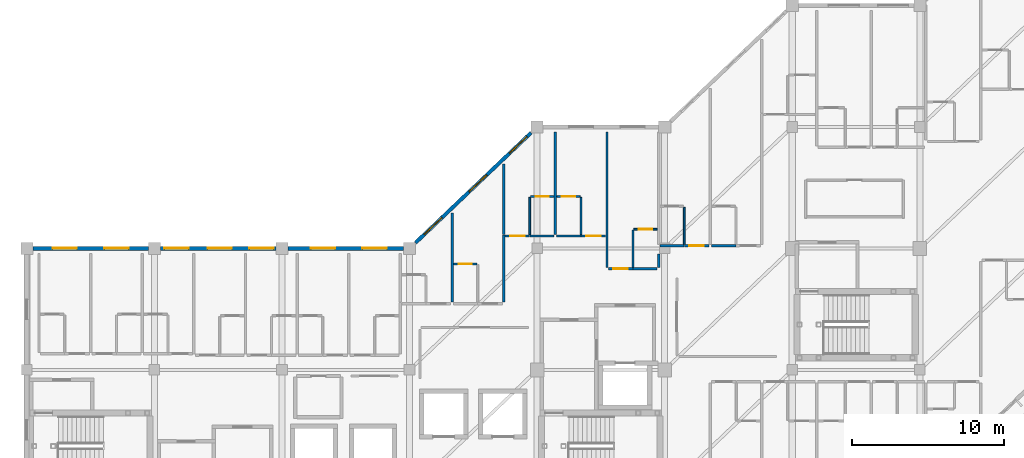
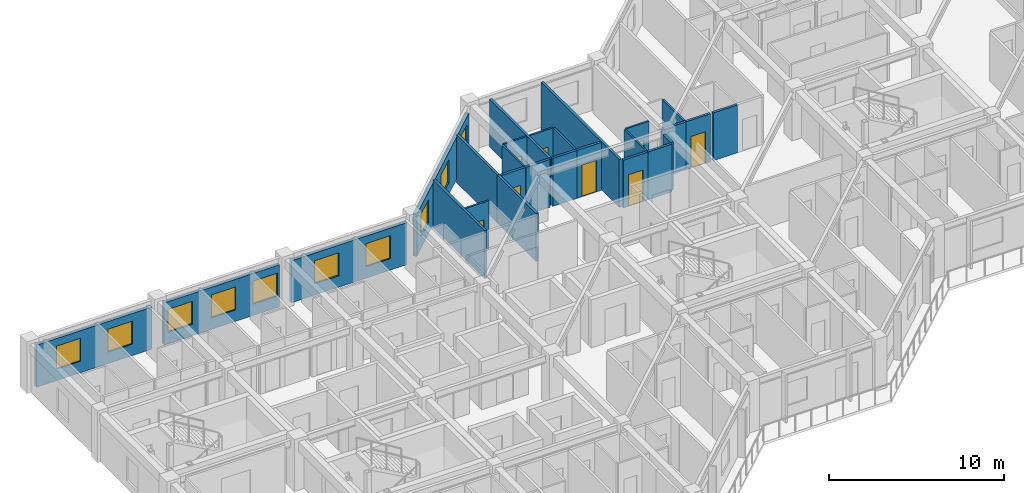
# One storey, part 12 of 17: 27 walls, 10 windows, 8 doors, 18 openings.
"""IFC4 building model written with IfcOpenShell, lengths in metres."""

import ifcopenshell
import ifcopenshell.guid

model = None  # the IFC model being written
_history = None  # IfcOwnerHistory: only IFC2X3 demands one
_inside = {}  # id of a spatial element -> (the spatial element, [elements in it])
_under = {}  # id of a project, library or spatial element -> (it, [spatial elements below it])
_declared = {}  # id of a project -> (the project, [libraries it declares])
_typed = {}  # id of a type object -> (the type object, [elements of that type])
_made_of = {}  # id of a material, layer set ... -> (it, [elements and type objects made of it])


def new_model(schema):
    """Start an empty IFC model of exactly this schema.

    Asked for "IFC4X3", IfcOpenShell would pick the latest addendum, in which some entities
    have other attributes; the version numbers below select the first issue.
    IFC2X3 requires an IfcOwnerHistory on every rooted entity: one is made here for all.
    """
    global model, _history
    if schema == "IFC4X3":
        model = ifcopenshell.file(schema_version=(4, 3, 0, 0))
    else:
        model = ifcopenshell.file(schema=schema)
    _inside.clear()
    _under.clear()
    _declared.clear()
    _typed.clear()
    _made_of.clear()
    _history = None
    if model.schema == "IFC2X3":
        org = make("IfcOrganization", Name="unknown")
        user = make(
            "IfcPersonAndOrganization",
            ThePerson=make("IfcPerson", FamilyName="unknown"),
            TheOrganization=org,
        )
        app = make(
            "IfcApplication",
            ApplicationDeveloper=org,
            Version="unknown",
            ApplicationFullName="unknown",
            ApplicationIdentifier="unknown",
        )
        _history = make(
            "IfcOwnerHistory",
            OwningUser=user,
            OwningApplication=app,
            ChangeAction="ADDED",
            CreationDate=0,
        )
    return model


def make(cls, **values):
    """One entity of the class cls with the attributes given. An attribute that is None is left unset."""
    return model.create_entity(
        cls, **{name: value for name, value in values.items() if value is not None}
    )


def rooted(cls, **values):
    """An entity with a GlobalId (a new one), such as an element, a storey or a relation."""
    return make(cls, GlobalId=ifcopenshell.guid.new(), OwnerHistory=_history, **values)


def si_unit(unit_type, name, prefix=None):
    """IfcSIUnit, for example si_unit("LENGTHUNIT", "METRE", prefix="MILLI")."""
    return make("IfcSIUnit", UnitType=unit_type, Prefix=prefix, Name=name)


def assignment(units):
    """IfcUnitAssignment: the units of a project."""
    return None if units is None else make("IfcUnitAssignment", Units=units)


def point(xyz):
    """IfcCartesianPoint."""
    return None if xyz is None else make("IfcCartesianPoint", Coordinates=xyz)


def direction(xyz):
    """IfcDirection."""
    return None if xyz is None else make("IfcDirection", DirectionRatios=xyz)


def frame(location, z_axis=None, x_axis=None):
    """IfcAxis2Placement3D, a coordinate frame: its origin and axes. An axis left out is left unset."""
    return make(
        "IfcAxis2Placement3D",
        Location=point(location),
        Axis=direction(z_axis),
        RefDirection=direction(x_axis),
    )


def frame_2d(location, x_axis=None):
    """IfcAxis2Placement2D, a coordinate frame in the plane: its origin and x axis."""
    return make(
        "IfcAxis2Placement2D", Location=point(location), RefDirection=direction(x_axis)
    )


def origin():
    """The frame at (0, 0, 0) with its axes left unset."""
    return frame((0.0, 0.0, 0.0))


def place(relative_to, where):
    """IfcLocalPlacement: puts the frame where relative to a parent placement (None: the world)."""
    return make(
        "IfcLocalPlacement", PlacementRelTo=relative_to, RelativePlacement=where
    )


def context(
    kind, dimensions, precision=None, world=None, true_north=None, identifier=None
):
    """IfcGeometricRepresentationContext, for example the 3D "Model" context."""
    return make(
        "IfcGeometricRepresentationContext",
        ContextIdentifier=identifier,
        ContextType=kind,
        CoordinateSpaceDimension=dimensions,
        Precision=precision,
        WorldCoordinateSystem=world,
        TrueNorth=true_north,
    )


def subcontext(parent, identifier, kind, view, scale=None):
    """IfcGeometricRepresentationSubContext, for example "Body" below "Model"."""
    return make(
        "IfcGeometricRepresentationSubContext",
        ContextIdentifier=identifier,
        ContextType=kind,
        ParentContext=parent,
        TargetScale=scale,
        TargetView=view,
    )


def project(units=None, contexts=None):
    """IfcProject with its units and contexts."""
    return rooted(
        "IfcProject",
        Name="project",
        RepresentationContexts=contexts,
        UnitsInContext=assignment(units),
    )


def spatial(cls, under=None, at=None, **own):
    """A site, building, storey or space (cls), placed at a placement, below another one or the project."""
    s = rooted(cls, ObjectPlacement=at, **own)
    if under is not None:
        _under.setdefault(under.id(), (under, []))[1].append(s)
    return s


def profile(cls, at=None, kind="AREA", **sizes):
    """A parametric profile (cls). Its sizes go by their IFC names, for example OverallWidth=200.0."""
    return make(cls, ProfileType=kind, Position=at, **sizes)


def rectangle(**sizes):
    """IfcRectangleProfileDef."""
    return profile("IfcRectangleProfileDef", **sizes)


def extrude(swept, where, along, depth):
    """IfcExtrudedAreaSolid: the profile swept, set in the frame where, extruded along a direction by depth."""
    return make(
        "IfcExtrudedAreaSolid",
        SweptArea=swept,
        Position=where,
        ExtrudedDirection=direction(along),
        Depth=depth,
    )


def shape(context_of_items, identifier, shape_type, items):
    """IfcShapeRepresentation: the items that make up one representation, for example the "Body"."""
    return make(
        "IfcShapeRepresentation",
        ContextOfItems=context_of_items,
        RepresentationIdentifier=identifier,
        RepresentationType=shape_type,
        Items=items,
    )


def material(Name=None, Category=None):
    """IfcMaterial."""
    return make("IfcMaterial", Name=Name, Category=Category)


def layer(
    of_material, thickness, ventilated=None, Name=None, Category=None, Priority=None
):
    """IfcMaterialLayer: one layer of a wall or slab, of a material (None: an air gap)."""
    return make(
        "IfcMaterialLayer",
        Material=of_material,
        LayerThickness=thickness,
        IsVentilated=ventilated,
        Name=Name,
        Category=Category,
        Priority=Priority,
    )


def layer_set(layers, Name=None):
    """IfcMaterialLayerSet."""
    return make("IfcMaterialLayerSet", MaterialLayers=layers, LayerSetName=Name)


def made_of(thing, what):
    """Note that an element or type object is made of a material, layer set ...; save() writes the relation."""
    if what is not None:
        _made_of.setdefault(what.id(), (what, []))[1].append(thing)
    return thing


def type_object(cls, material=None, **own):
    """A type object (cls), such as IfcWallType, which elements share."""
    return made_of(rooted(cls, **own), material)


def element(
    cls,
    number,
    at=None,
    inside=None,
    cuts=None,
    type_object=None,
    material=None,
    context=None,
    identifier="Body",
    shape_type=None,
    held_by="IfcProductDefinitionShape",
    body=None,
    shapes=None,
    **own,
):
    """One element of the class cls, such as IfcWall. Its Tag is "e" and its number.

    at: its placement. inside: the storey or other place that contains it. cuts: it is an
    opening in that element (IfcRelVoidsElement). A single representation is given by context,
    identifier, shape_type and body (its items); several are given by shapes. held_by: the class
    of the entity that holds the representations. save() writes the other relations.
    """
    e = rooted(cls, Tag="e%d" % number, ObjectPlacement=at, **own)
    if body is not None:
        shapes = [shape(context, identifier, shape_type, body)]
    if shapes is not None:
        e.Representation = make(held_by, Representations=shapes)
    if inside is not None:
        _inside.setdefault(inside.id(), (inside, []))[1].append(e)
    if cuts is not None:
        rooted(
            "IfcRelVoidsElement", RelatingBuildingElement=cuts, RelatedOpeningElement=e
        )
    if type_object is not None:
        _typed.setdefault(type_object.id(), (type_object, []))[1].append(e)
    return made_of(e, material)


def fill(opening, filler):
    """IfcRelFillsElement: the door or window that sits in an opening."""
    return rooted(
        "IfcRelFillsElement",
        RelatingOpeningElement=opening,
        RelatedBuildingElement=filler,
    )


def aggregate(whole, parts):
    """IfcRelAggregates: a whole, such as a stair, and the parts it consists of."""
    return rooted("IfcRelAggregates", RelatingObject=whole, RelatedObjects=parts)


def save(model, path):
    """Write the relations noted so far, then the file.

    IfcRelAggregates (storeys below a building ...), IfcRelContainedInSpatialStructure (elements
    in a storey), IfcRelDefinesByType, IfcRelAssociatesMaterial and IfcRelDeclares: one each for
    every whole, place, type object, material and project.
    """
    for whole, parts in _under.values():
        aggregate(whole, parts)
    for where, things in _inside.values():
        rooted(
            "IfcRelContainedInSpatialStructure",
            RelatedElements=things,
            RelatingStructure=where,
        )
    for kind, things in _typed.values():
        rooted("IfcRelDefinesByType", RelatedObjects=things, RelatingType=kind)
    for what, things in _made_of.values():
        rooted("IfcRelAssociatesMaterial", RelatedObjects=things, RelatingMaterial=what)
    for by, libraries in _declared.values():
        rooted("IfcRelDeclares", RelatingContext=by, RelatedDefinitions=libraries)
    model.write(path)


model = new_model("IFC4")

# Units and contexts
model_context = context("Model", 3, precision=1e-05, world=origin(), true_north=direction((0.0, 1.0)))
body_context = subcontext(model_context, "Body", "Model", "MODEL_VIEW")
ifc_project = project(units=[si_unit("LENGTHUNIT", "METRE"), si_unit("AREAUNIT", "SQUARE_METRE"), si_unit("VOLUMEUNIT", "CUBIC_METRE"), si_unit("PLANEANGLEUNIT", "RADIAN"), si_unit("MASSUNIT", "GRAM", prefix="KILO")], contexts=[model_context])

# Site, building, storey
site_placement = place(None, origin())
site = spatial("IfcSite", under=ifc_project, at=site_placement, CompositionType="ELEMENT")
building_placement = place(site_placement, origin())
building = spatial("IfcBuilding", under=site, at=building_placement, Name="Naruveol Harbour Congress Hotel", CompositionType="ELEMENT")
storey_placement = place(building_placement, frame((0.0, 0.0, 25.199951171875)))
storey = spatial("IfcBuildingStorey", under=building, at=storey_placement, Name="L05", CompositionType="ELEMENT", Elevation=25.199951171875)

# Wall, opening, door
ifc_material_1 = material(Name="Moisture-Resistant Gypsum Partition", Category="gypsum")
ifc_layer_1 = layer(ifc_material_1, 0.114990234375)
ifc_layer_set_1 = layer_set([ifc_layer_1], Name="Moisture-Resistant Gypsum Partition")
wall_type_1 = type_object("IfcWallType", Name="BATHROOM MOISTURE PARTITION WALL 115", PredefinedType="PARTITIONING", material=ifc_layer_set_1)
wall_1_placement = place(storey_placement, frame((145.699951171875, 30.969970703125, 0.0), z_axis=(0.0, 0.0, 1.0), x_axis=(1.0, 0.0, 0.0)))
wall_1 = element("IfcWall", 1, at=wall_1_placement, inside=storey, type_object=wall_type_1, Name="Bathroom north wall 0642 PW-115", PredefinedType="PARTITIONING", context=body_context, shape_type="SweptSolid", body=[
    extrude(rectangle(XDim=1.530029296875, YDim=0.114990234375, at=frame_2d((0.76513671875, 0.0))), origin(), (0.0, 0.0, 1.0), 3.3349609375),
])
opening_1_placement = place(wall_1_placement, frame((0.3349609375, 0.0, 0.0)))
opening_1 = element("IfcOpeningElement", 2, at=opening_1_placement, cuts=wall_1, Name="Opening BD-RM0642", PredefinedType="OPENING", context=body_context, shape_type="SweptSolid", body=[
    extrude(rectangle(XDim=0.860107421875, YDim=2.1201171875, at=frame_2d((0.43017578125, 1.06005859375))), frame((0.0, 0.0673828125, 0.0), z_axis=(0.0, -1.0, 0.0), x_axis=(1.0, 0.0, 0.0)), (0.0, 0.0, 1.0), 0.135009765625),
])
ifc_material_2 = material(Name="Timber & Steel Acoustic Leaf", Category="steel")
door_type_1 = type_object("IfcDoorType", Name="GUEST BATHROOM DOOR 860X2120", OperationType="NOTDEFINED", PredefinedType="DOOR", material=ifc_material_2)
door_1_placement = place(opening_1_placement, origin())
door_1 = element("IfcDoor", 3, at=door_1_placement, inside=storey, type_object=door_type_1, Name="Bathroom Door 0642", OperationType="SINGLE_SWING_RIGHT", OverallHeight=2.1201171875, OverallWidth=0.860107421875, PredefinedType="DOOR", context=body_context, shape_type="SweptSolid", body=[
    extrude(rectangle(XDim=0.860107421875, YDim=2.1201171875, at=frame_2d((0.43017578125, 1.06005859375))), frame((0.0, 0.02490234375, 0.0), z_axis=(0.0, -1.0, 0.0), x_axis=(1.0, 0.0, 0.0)), (0.0, 0.0, 1.0), 0.050048828125),
])
fill(opening_1, door_1)

# Wall
wall_2_placement = place(storey_placement, frame((150.7099609375, 32.909912109375, 0.0), z_axis=(0.0, 0.0, 1.0), x_axis=(0.0, 1.0, 0.0)))
element("IfcWall", 4, at=wall_2_placement, inside=storey, type_object=wall_type_1, Name="Bathroom west wall 0643 PW-115", PredefinedType="PARTITIONING", context=body_context, shape_type="SweptSolid", body=[
    extrude(rectangle(XDim=2.4501953125, YDim=0.114990234375, at=frame_2d((1.22509765625, 0.0))), origin(), (0.0, 0.0, 1.0), 3.3349609375),
])

# Wall, opening, door
wall_3_placement = place(storey_placement, frame((150.77001953125, 35.419921875, 0.0), z_axis=(0.0, 0.0, 1.0), x_axis=(1.0, 0.0, 0.0)))
wall_3 = element("IfcWall", 5, at=wall_3_placement, inside=storey, type_object=wall_type_1, Name="Bathroom north wall 0643 PW-115", PredefinedType="PARTITIONING", context=body_context, shape_type="SweptSolid", body=[
    extrude(rectangle(XDim=1.530029296875, YDim=0.114990234375, at=frame_2d((0.76513671875, 0.0))), origin(), (0.0, 0.0, 1.0), 3.3349609375),
])
opening_2_placement = place(wall_3_placement, frame((0.3349609375, 0.0, 0.0)))
opening_2 = element("IfcOpeningElement", 6, at=opening_2_placement, cuts=wall_3, Name="Opening BD-RM0643", PredefinedType="OPENING", context=body_context, shape_type="SweptSolid", body=[
    extrude(rectangle(XDim=0.860107421875, YDim=2.1201171875, at=frame_2d((0.43017578125, 1.06005859375))), frame((0.0, 0.0673828125, 0.0), z_axis=(0.0, -1.0, 0.0), x_axis=(1.0, 0.0, 0.0)), (0.0, 0.0, 1.0), 0.135009765625),
])
door_2_placement = place(opening_2_placement, origin())
door_2 = element("IfcDoor", 7, at=door_2_placement, inside=storey, type_object=door_type_1, Name="Bathroom Door 0643", OperationType="SINGLE_SWING_RIGHT", OverallHeight=2.1201171875, OverallWidth=0.860107421875, PredefinedType="DOOR", context=body_context, shape_type="SweptSolid", body=[
    extrude(rectangle(XDim=0.860107421875, YDim=2.1201171875, at=frame_2d((0.43017578125, 1.06005859375))), frame((0.0, 0.02490234375, 0.0), z_axis=(0.0, -1.0, 0.0), x_axis=(1.0, 0.0, 0.0)), (0.0, 0.0, 1.0), 0.050048828125),
])
fill(opening_2, door_2)

# Wall
wall_4_placement = place(storey_placement, frame((154.090087890625, 32.909912109375, 0.0), z_axis=(0.0, 0.0, 1.0), x_axis=(0.0, 1.0, 0.0)))
element("IfcWall", 8, at=wall_4_placement, inside=storey, type_object=wall_type_1, Name="Bathroom east wall 0644 PW-115", PredefinedType="PARTITIONING", context=body_context, shape_type="SweptSolid", body=[
    extrude(rectangle(XDim=2.4501953125, YDim=0.114990234375, at=frame_2d((1.22509765625, 0.0))), origin(), (0.0, 0.0, 1.0), 3.3349609375),
])

# Wall, opening, door
wall_5_placement = place(storey_placement, frame((152.5, 35.419921875, 0.0), z_axis=(0.0, 0.0, 1.0), x_axis=(1.0, 0.0, 0.0)))
wall_5 = element("IfcWall", 9, at=wall_5_placement, inside=storey, type_object=wall_type_1, Name="Bathroom north wall 0644 PW-115", PredefinedType="PARTITIONING", context=body_context, shape_type="SweptSolid", body=[
    extrude(rectangle(XDim=1.530029296875, YDim=0.114990234375, at=frame_2d((0.76513671875, 0.0))), origin(), (0.0, 0.0, 1.0), 3.3349609375),
])
opening_3_placement = place(wall_5_placement, frame((0.3349609375, 0.0, 0.0)))
opening_3 = element("IfcOpeningElement", 10, at=opening_3_placement, cuts=wall_5, Name="Opening BD-RM0644", PredefinedType="OPENING", context=body_context, shape_type="SweptSolid", body=[
    extrude(rectangle(XDim=0.860107421875, YDim=2.1201171875, at=frame_2d((0.43017578125, 1.06005859375))), frame((0.0, 0.0673828125, 0.0), z_axis=(0.0, -1.0, 0.0), x_axis=(1.0, 0.0, 0.0)), (0.0, 0.0, 1.0), 0.135009765625),
])
door_3_placement = place(opening_3_placement, origin())
door_3 = element("IfcDoor", 11, at=door_3_placement, inside=storey, type_object=door_type_1, Name="Bathroom Door 0644", OperationType="SINGLE_SWING_RIGHT", OverallHeight=2.1201171875, OverallWidth=0.860107421875, PredefinedType="DOOR", context=body_context, shape_type="SweptSolid", body=[
    extrude(rectangle(XDim=0.860107421875, YDim=2.1201171875, at=frame_2d((0.43017578125, 1.06005859375))), frame((0.0, 0.02490234375, 0.0), z_axis=(0.0, -1.0, 0.0), x_axis=(1.0, 0.0, 0.0)), (0.0, 0.0, 1.0), 0.050048828125),
])
fill(opening_3, door_3)

# Wall
wall_6_placement = place(storey_placement, frame((157.510009765625, 30.75, 0.0), z_axis=(0.0, 0.0, 1.0), x_axis=(0.0, 1.0, 0.0)))
element("IfcWall", 12, at=wall_6_placement, inside=storey, type_object=wall_type_1, Name="Bathroom west wall 0645 PW-115", PredefinedType="PARTITIONING", context=body_context, shape_type="SweptSolid", body=[
    extrude(rectangle(XDim=2.449951171875, YDim=0.114990234375, at=frame_2d((1.22509765625, 0.0))), origin(), (0.0, 0.0, 1.0), 3.3349609375),
])

# Wall, opening, door
wall_7_placement = place(storey_placement, frame((157.570068359375, 33.260009765625, 0.0), z_axis=(0.0, 0.0, 1.0), x_axis=(1.0, 0.0, 0.0)))
wall_7 = element("IfcWall", 13, at=wall_7_placement, inside=storey, type_object=wall_type_1, Name="Bathroom north wall 0645 PW-115", PredefinedType="PARTITIONING", context=body_context, shape_type="SweptSolid", body=[
    extrude(rectangle(XDim=1.530029296875, YDim=0.114990234375, at=frame_2d((0.76513671875, 0.0))), origin(), (0.0, 0.0, 1.0), 3.3349609375),
])
opening_4_placement = place(wall_7_placement, frame((0.3349609375, 0.0, 0.0)))
opening_4 = element("IfcOpeningElement", 14, at=opening_4_placement, cuts=wall_7, Name="Opening BD-RM0645", PredefinedType="OPENING", context=body_context, shape_type="SweptSolid", body=[
    extrude(rectangle(XDim=0.860107421875, YDim=2.1201171875, at=frame_2d((0.43017578125, 1.06005859375))), frame((0.0, 0.0673828125, 0.0), z_axis=(0.0, -1.0, 0.0), x_axis=(1.0, 0.0, 0.0)), (0.0, 0.0, 1.0), 0.135009765625),
])
door_4_placement = place(opening_4_placement, origin())
door_4 = element("IfcDoor", 15, at=door_4_placement, inside=storey, type_object=door_type_1, Name="Bathroom Door 0645", OperationType="SINGLE_SWING_RIGHT", OverallHeight=2.1201171875, OverallWidth=0.860107421875, PredefinedType="DOOR", context=body_context, shape_type="SweptSolid", body=[
    extrude(rectangle(XDim=0.860107421875, YDim=2.1201171875, at=frame_2d((0.43017578125, 1.06005859375))), frame((0.0, 0.02490234375, 0.0), z_axis=(0.0, -1.0, 0.0), x_axis=(1.0, 0.0, 0.0)), (0.0, 0.0, 1.0), 0.050048828125),
])
fill(opening_4, door_4)

# Walls
wall_8_placement = place(storey_placement, frame((160.889892578125, 32.260009765625, 0.0), z_axis=(0.0, 0.0, 1.0), x_axis=(0.0, 1.0, 0.0)))
element("IfcWall", 16, at=wall_8_placement, inside=storey, type_object=wall_type_1, Name="Bathroom east wall 0646 PW-115", PredefinedType="PARTITIONING", context=body_context, shape_type="SweptSolid", body=[
    extrude(rectangle(XDim=2.449951171875, YDim=0.114990234375, at=frame_2d((1.22509765625, 0.0))), origin(), (0.0, 0.0, 1.0), 3.3349609375),
])
ifc_material_3 = material(Name="Autoclaved Aerated Concrete Block", Category="concrete")
ifc_layer_2 = layer(ifc_material_3, 0.159912109375)
ifc_layer_set_2 = layer_set([ifc_layer_2], Name="Autoclaved Aerated Concrete Block")
wall_type_2 = type_object("IfcWallType", Name="HOTEL PARTY AND CORRIDOR WALL 160 EI60", PredefinedType="PARTITIONING", material=ifc_layer_set_2)
wall_9_placement = place(storey_placement, frame((145.60009765625, 28.4599609375, 0.0), z_axis=(0.0, 0.0, 1.0), x_axis=(0.0, 1.0, 0.0)))
element("IfcWall", 17, at=wall_9_placement, inside=storey, type_object=wall_type_2, Name="Hotel party wall 0642 PW-160", PredefinedType="PARTITIONING", context=body_context, shape_type="SweptSolid", body=[
    extrude(rectangle(XDim=5.8701171875, YDim=0.159912109375, at=frame_2d((2.93505859375, 0.0))), origin(), (0.0, 0.0, 1.0), 3.3349609375),
])
wall_10_placement = place(storey_placement, frame((149.0, 28.4599609375, 0.0), z_axis=(0.0, 0.0, 1.0), x_axis=(0.0, 1.0, 0.0)))
element("IfcWall", 18, at=wall_10_placement, inside=storey, type_object=wall_type_2, Name="Hotel end party wall 0642 PW-160", PredefinedType="PARTITIONING", context=body_context, shape_type="SweptSolid", body=[
    extrude(rectangle(XDim=4.43994140625, YDim=0.159912109375, at=frame_2d((2.219970703125, 0.0))), origin(), (0.0, 0.0, 1.0), 3.3349609375),
])

# Wall, opening, door
wall_11_placement = place(storey_placement, frame((149.090087890625, 32.820068359375, 0.0), z_axis=(0.0, 0.0, 1.0), x_axis=(1.0, 0.0, 0.0)))
wall_11 = element("IfcWall", 19, at=wall_11_placement, inside=storey, type_object=wall_type_2, Name="Corridor entry wall 0643 PW-160", PredefinedType="PARTITIONING", context=body_context, shape_type="SweptSolid", body=[
    extrude(rectangle(XDim=1.619873046875, YDim=0.159912109375, at=frame_2d((0.81005859375, 0.0))), origin(), (0.0, 0.0, 1.0), 3.3349609375),
])
opening_5_placement = place(wall_11_placement, frame((0.330078125, 0.0, 0.0)))
opening_5 = element("IfcOpeningElement", 20, at=opening_5_placement, cuts=wall_11, Name="Opening FD-RM0643", PredefinedType="OPENING", context=body_context, shape_type="SweptSolid", body=[
    extrude(rectangle(XDim=0.9599609375, YDim=2.199951171875, at=frame_2d((0.47998046875, 1.10009765625))), frame((0.0, 0.08984375, 0.0), z_axis=(0.0, -1.0, 0.0), x_axis=(1.0, 0.0, 0.0)), (0.0, 0.0, 1.0), 0.179931640625),
])
ifc_material_4 = material(Name="Timber & Steel Acoustic Leaf", Category="steel")
door_type_2 = type_object("IfcDoorType", Name="GUEST ROOM ENTRANCE FIRE DOOR 960X2200", OperationType="NOTDEFINED", PredefinedType="DOOR", material=ifc_material_4)
door_5_placement = place(opening_5_placement, origin())
door_5 = element("IfcDoor", 21, at=door_5_placement, inside=storey, type_object=door_type_2, Name="Hotel Room Door 0643", OperationType="SINGLE_SWING_LEFT", OverallHeight=2.199951171875, OverallWidth=0.9599609375, PredefinedType="DOOR", context=body_context, shape_type="SweptSolid", body=[
    extrude(rectangle(XDim=0.9599609375, YDim=2.199951171875, at=frame_2d((0.47998046875, 1.10009765625))), frame((0.0, 0.02490234375, 0.0), z_axis=(0.0, -1.0, 0.0), x_axis=(1.0, 0.0, 0.0)), (0.0, 0.0, 1.0), 0.050048828125),
])
fill(opening_5, door_5)

# Walls
wall_12_placement = place(storey_placement, frame((150.719970703125, 32.820068359375, 0.0), z_axis=(0.0, 0.0, 1.0), x_axis=(1.0, 0.0, 0.0)))
element("IfcWall", 22, at=wall_12_placement, inside=storey, type_object=wall_type_2, Name="Corridor wall 0643B PW-160", PredefinedType="PARTITIONING", context=body_context, shape_type="SweptSolid", body=[
    extrude(rectangle(XDim=1.590087890625, YDim=0.159912109375, at=frame_2d((0.794921875, 0.0))), origin(), (0.0, 0.0, 1.0), 3.3349609375),
])
wall_13_placement = place(storey_placement, frame((149.0, 32.909912109375, 0.0), z_axis=(0.0, 0.0, 1.0), x_axis=(0.0, 1.0, 0.0)))
element("IfcWall", 23, at=wall_13_placement, inside=storey, type_object=wall_type_2, Name="Hotel party wall 0643 PW-160", PredefinedType="PARTITIONING", context=body_context, shape_type="SweptSolid", body=[
    extrude(rectangle(XDim=4.650146484375, YDim=0.159912109375, at=frame_2d((2.3251953125, 0.0))), origin(), (0.0, 0.0, 1.0), 3.3349609375),
])
wall_14_placement = place(storey_placement, frame((152.489990234375, 32.820068359375, 0.0), z_axis=(0.0, 0.0, 1.0), x_axis=(1.0, 0.0, 0.0)))
element("IfcWall", 24, at=wall_14_placement, inside=storey, type_object=wall_type_2, Name="Corridor wall 0644B PW-160", PredefinedType="PARTITIONING", context=body_context, shape_type="SweptSolid", body=[
    extrude(rectangle(XDim=1.590087890625, YDim=0.159912109375, at=frame_2d((0.794921875, 0.0))), origin(), (0.0, 0.0, 1.0), 3.3349609375),
])

# Wall, opening, door
wall_15_placement = place(storey_placement, frame((154.090087890625, 32.820068359375, 0.0), z_axis=(0.0, 0.0, 1.0), x_axis=(1.0, 0.0, 0.0)))
wall_15 = element("IfcWall", 25, at=wall_15_placement, inside=storey, type_object=wall_type_2, Name="Corridor entry wall 0644 PW-160", PredefinedType="PARTITIONING", context=body_context, shape_type="SweptSolid", body=[
    extrude(rectangle(XDim=1.619873046875, YDim=0.159912109375, at=frame_2d((0.81005859375, 0.0))), origin(), (0.0, 0.0, 1.0), 3.3349609375),
])
opening_6_placement = place(wall_15_placement, frame((0.330078125, 0.0, 0.0)))
opening_6 = element("IfcOpeningElement", 26, at=opening_6_placement, cuts=wall_15, Name="Opening FD-RM0644", PredefinedType="OPENING", context=body_context, shape_type="SweptSolid", body=[
    extrude(rectangle(XDim=0.9599609375, YDim=2.199951171875, at=frame_2d((0.47998046875, 1.10009765625))), frame((0.0, 0.08984375, 0.0), z_axis=(0.0, -1.0, 0.0), x_axis=(1.0, 0.0, 0.0)), (0.0, 0.0, 1.0), 0.179931640625),
])
door_6_placement = place(opening_6_placement, origin())
door_6 = element("IfcDoor", 27, at=door_6_placement, inside=storey, type_object=door_type_2, Name="Hotel Room Door 0644", OperationType="SINGLE_SWING_LEFT", OverallHeight=2.199951171875, OverallWidth=0.9599609375, PredefinedType="DOOR", context=body_context, shape_type="SweptSolid", body=[
    extrude(rectangle(XDim=0.9599609375, YDim=2.199951171875, at=frame_2d((0.47998046875, 1.10009765625))), frame((0.0, 0.02490234375, 0.0), z_axis=(0.0, -1.0, 0.0), x_axis=(1.0, 0.0, 0.0)), (0.0, 0.0, 1.0), 0.050048828125),
])
fill(opening_6, door_6)

# Wall
wall_16_placement = place(storey_placement, frame((152.39990234375, 32.909912109375, 0.0), z_axis=(0.0, 0.0, 1.0), x_axis=(0.0, 1.0, 0.0)))
element("IfcWall", 28, at=wall_16_placement, inside=storey, type_object=wall_type_2, Name="Hotel party wall 0644 PW-160", PredefinedType="PARTITIONING", context=body_context, shape_type="SweptSolid", body=[
    extrude(rectangle(XDim=6.75, YDim=0.159912109375, at=frame_2d((3.375, 0.0))), origin(), (0.0, 0.0, 1.0), 3.3349609375),
])

# Wall, opening, door
wall_17_placement = place(storey_placement, frame((155.889892578125, 30.659912109375, 0.0), z_axis=(0.0, 0.0, 1.0), x_axis=(1.0, 0.0, 0.0)))
wall_17 = element("IfcWall", 29, at=wall_17_placement, inside=storey, type_object=wall_type_2, Name="Corridor entry wall 0645 PW-160", PredefinedType="PARTITIONING", context=body_context, shape_type="SweptSolid", body=[
    extrude(rectangle(XDim=1.6201171875, YDim=0.159912109375, at=frame_2d((0.81005859375, 0.0))), origin(), (0.0, 0.0, 1.0), 3.3349609375),
])
opening_7_placement = place(wall_17_placement, frame((0.330078125, 0.0, 0.0)))
opening_7 = element("IfcOpeningElement", 30, at=opening_7_placement, cuts=wall_17, Name="Opening FD-RM0645", PredefinedType="OPENING", context=body_context, shape_type="SweptSolid", body=[
    extrude(rectangle(XDim=0.9599609375, YDim=2.199951171875, at=frame_2d((0.47998046875, 1.10009765625))), frame((0.0, 0.08984375, 0.0), z_axis=(0.0, -1.0, 0.0), x_axis=(1.0, 0.0, 0.0)), (0.0, 0.0, 1.0), 0.179931640625),
])
door_7_placement = place(opening_7_placement, origin())
door_7 = element("IfcDoor", 31, at=door_7_placement, inside=storey, type_object=door_type_2, Name="Hotel Room Door 0645", OperationType="SINGLE_SWING_LEFT", OverallHeight=2.199951171875, OverallWidth=0.9599609375, PredefinedType="DOOR", context=body_context, shape_type="SweptSolid", body=[
    extrude(rectangle(XDim=0.9599609375, YDim=2.199951171875, at=frame_2d((0.47998046875, 1.10009765625))), frame((0.0, 0.02490234375, 0.0), z_axis=(0.0, -1.0, 0.0), x_axis=(1.0, 0.0, 0.0)), (0.0, 0.0, 1.0), 0.050048828125),
])
fill(opening_7, door_7)

# Walls
wall_18_placement = place(storey_placement, frame((157.52001953125, 30.659912109375, 0.0), z_axis=(0.0, 0.0, 1.0), x_axis=(1.0, 0.0, 0.0)))
element("IfcWall", 32, at=wall_18_placement, inside=storey, type_object=wall_type_2, Name="Corridor wall 0645B PW-160", PredefinedType="PARTITIONING", context=body_context, shape_type="SweptSolid", body=[
    extrude(rectangle(XDim=1.590087890625, YDim=0.159912109375, at=frame_2d((0.794921875, 0.0))), origin(), (0.0, 0.0, 1.0), 3.3349609375),
])
wall_19_placement = place(storey_placement, frame((155.800048828125, 30.75, 0.0), z_axis=(0.0, 0.0, 1.0), x_axis=(0.0, 1.0, 0.0)))
element("IfcWall", 33, at=wall_19_placement, inside=storey, type_object=wall_type_2, Name="Hotel party wall 0645 PW-160", PredefinedType="PARTITIONING", context=body_context, shape_type="SweptSolid", body=[
    extrude(rectangle(XDim=8.909912109375, YDim=0.159912109375, at=frame_2d((4.455078125, 0.0))), origin(), (0.0, 0.0, 1.0), 3.3349609375),
])
wall_20_placement = place(storey_placement, frame((159.199951171875, 30.75, 0.0), z_axis=(0.0, 0.0, 1.0), x_axis=(0.0, 1.0, 0.0)))
element("IfcWall", 34, at=wall_20_placement, inside=storey, type_object=wall_type_2, Name="Hotel end party wall 0645 PW-160", PredefinedType="PARTITIONING", context=body_context, shape_type="SweptSolid", body=[
    extrude(rectangle(XDim=0.889892578125, YDim=0.159912109375, at=frame_2d((0.44482421875, 0.0))), origin(), (0.0, 0.0, 1.0), 3.3349609375),
])
wall_21_placement = place(storey_placement, frame((159.2900390625, 32.169921875, 0.0), z_axis=(0.0, 0.0, 1.0), x_axis=(1.0, 0.0, 0.0)))
element("IfcWall", 35, at=wall_21_placement, inside=storey, type_object=wall_type_2, Name="Corridor wall 0646B PW-160", PredefinedType="PARTITIONING", context=body_context, shape_type="SweptSolid", body=[
    extrude(rectangle(XDim=1.58984375, YDim=0.159912109375, at=frame_2d((0.794921875, 0.0))), origin(), (0.0, 0.0, 1.0), 3.3349609375),
])

# Wall, opening, door
wall_22_placement = place(storey_placement, frame((160.889892578125, 32.169921875, 0.0), z_axis=(0.0, 0.0, 1.0), x_axis=(1.0, 0.0, 0.0)))
wall_22 = element("IfcWall", 36, at=wall_22_placement, inside=storey, type_object=wall_type_2, Name="Corridor entry wall 0646 PW-160", PredefinedType="PARTITIONING", context=body_context, shape_type="SweptSolid", body=[
    extrude(rectangle(XDim=1.6201171875, YDim=0.159912109375, at=frame_2d((0.81005859375, 0.0))), origin(), (0.0, 0.0, 1.0), 3.3349609375),
])
opening_8_placement = place(wall_22_placement, frame((0.330078125, 0.0, 0.0)))
opening_8 = element("IfcOpeningElement", 37, at=opening_8_placement, cuts=wall_22, Name="Opening FD-RM0646", PredefinedType="OPENING", context=body_context, shape_type="SweptSolid", body=[
    extrude(rectangle(XDim=0.9599609375, YDim=2.199951171875, at=frame_2d((0.47998046875, 1.10009765625))), frame((0.0, 0.08984375, 0.0), z_axis=(0.0, -1.0, 0.0), x_axis=(1.0, 0.0, 0.0)), (0.0, 0.0, 1.0), 0.179931640625),
])
door_8_placement = place(opening_8_placement, origin())
door_8 = element("IfcDoor", 38, at=door_8_placement, inside=storey, type_object=door_type_2, Name="Hotel Room Door 0646", OperationType="SINGLE_SWING_LEFT", OverallHeight=2.199951171875, OverallWidth=0.9599609375, PredefinedType="DOOR", context=body_context, shape_type="SweptSolid", body=[
    extrude(rectangle(XDim=0.9599609375, YDim=2.199951171875, at=frame_2d((0.47998046875, 1.10009765625))), frame((0.0, 0.02490234375, 0.0), z_axis=(0.0, -1.0, 0.0), x_axis=(1.0, 0.0, 0.0)), (0.0, 0.0, 1.0), 0.050048828125),
])
fill(opening_8, door_8)

# Wall
wall_23_placement = place(storey_placement, frame((162.68994140625, 32.169921875, 0.0), z_axis=(0.0, 0.0, 1.0), x_axis=(1.0, 0.0, 0.0)))
element("IfcWall", 39, at=wall_23_placement, inside=storey, type_object=wall_type_2, Name="Corridor wall 0647B PW-160", PredefinedType="PARTITIONING", context=body_context, shape_type="SweptSolid", body=[
    extrude(rectangle(XDim=1.590087890625, YDim=0.159912109375, at=frame_2d((0.794921875, 0.0))), origin(), (0.0, 0.0, 1.0), 3.3349609375),
])

# Wall, openings, windows
ifc_material_5 = material(Name="Concrete C40/50", Category="concrete")
ifc_layer_3 = layer(ifc_material_5, 0.239990234375)
ifc_layer_set_3 = layer_set([ifc_layer_3], Name="Concrete C40/50")
wall_type_3 = type_object("IfcWallType", Name="INSULATED HOTEL SPANDREL WALL 240", PredefinedType="SOLIDWALL", material=ifc_layer_set_3)
wall_24_placement = place(storey_placement, frame((118.0, 32.0, 0.0), z_axis=(0.0, 0.0, 1.0), x_axis=(1.0, 0.0, 0.0)))
wall_24 = element("IfcWall", 40, at=wall_24_placement, inside=storey, type_object=wall_type_3, Name="Hotel north bay wall L05 EW-240", PredefinedType="SOLIDWALL", context=body_context, shape_type="SweptSolid", body=[
    extrude(rectangle(XDim=7.60009765625, YDim=0.239990234375, at=frame_2d((3.800048828125, 0.0))), origin(), (0.0, 0.0, 1.0), 2.929931640625),
])
opening_9_placement = place(wall_24_placement, frame((1.300048828125, 0.0, 0.800048828125)))
opening_9 = element("IfcOpeningElement", 41, at=opening_9_placement, cuts=wall_24, Name="Opening W-03", PredefinedType="OPENING", context=body_context, shape_type="SweptSolid", body=[
    extrude(rectangle(XDim=1.60009765625, YDim=1.60009765625, at=frame_2d((0.800048828125, 0.800048828125))), frame((0.0, 0.1298828125, 0.0), z_axis=(0.0, -1.0, 0.0), x_axis=(1.0, 0.0, 0.0)), (0.0, 0.0, 1.0), 0.260009765625),
])
opening_10_placement = place(wall_24_placement, frame((4.699951171875, 0.0, 0.800048828125)))
opening_10 = element("IfcOpeningElement", 42, at=opening_10_placement, cuts=wall_24, Name="Opening W-03", PredefinedType="OPENING", context=body_context, shape_type="SweptSolid", body=[
    extrude(rectangle(XDim=1.60009765625, YDim=1.60009765625, at=frame_2d((0.800048828125, 0.800048828125))), frame((0.0, 0.1298828125, 0.0), z_axis=(0.0, -1.0, 0.0), x_axis=(1.0, 0.0, 0.0)), (0.0, 0.0, 1.0), 0.260009765625),
])
ifc_material_6 = material(Name="Low-E Triple Glazing in Thermal Aluminium", Category="aluminium")
window_type = type_object("IfcWindowType", Name="DELUXE GUEST WINDOW 1600X1600", PartitioningType="SINGLE_PANEL", PredefinedType="WINDOW", material=ifc_material_6)
window_1_placement = place(opening_9_placement, origin())
window_1 = element("IfcWindow", 43, at=window_1_placement, inside=storey, type_object=window_type, Name="Window W-03 #309", OverallHeight=1.60009765625, OverallWidth=1.60009765625, PartitioningType="SINGLE_PANEL", PredefinedType="WINDOW", context=body_context, shape_type="SweptSolid", body=[
    extrude(rectangle(XDim=1.60009765625, YDim=1.60009765625, at=frame_2d((0.800048828125, 0.800048828125))), frame((0.0, 0.030029296875, 0.0), z_axis=(0.0, -1.0, 0.0), x_axis=(1.0, 0.0, 0.0)), (0.0, 0.0, 1.0), 0.06005859375),
])
fill(opening_9, window_1)
window_2_placement = place(opening_10_placement, origin())
window_2 = element("IfcWindow", 44, at=window_2_placement, inside=storey, type_object=window_type, Name="Window W-03 #310", OverallHeight=1.60009765625, OverallWidth=1.60009765625, PartitioningType="SINGLE_PANEL", PredefinedType="WINDOW", context=body_context, shape_type="SweptSolid", body=[
    extrude(rectangle(XDim=1.60009765625, YDim=1.60009765625, at=frame_2d((0.800048828125, 0.800048828125))), frame((0.0, 0.030029296875, 0.0), z_axis=(0.0, -1.0, 0.0), x_axis=(1.0, 0.0, 0.0)), (0.0, 0.0, 1.0), 0.06005859375),
])
fill(opening_10, window_2)

wall_25_placement = place(storey_placement, frame((126.39990234375, 32.0, 0.0), z_axis=(0.0, 0.0, 1.0), x_axis=(1.0, 0.0, 0.0)))
wall_25 = element("IfcWall", 45, at=wall_25_placement, inside=storey, type_object=wall_type_3, Name="Hotel north bay wall L05 EW-240", PredefinedType="SOLIDWALL", context=body_context, shape_type="SweptSolid", body=[
    extrude(rectangle(XDim=7.60009765625, YDim=0.239990234375, at=frame_2d((3.800048828125, 0.0))), origin(), (0.0, 0.0, 1.0), 2.929931640625),
])
opening_11_placement = place(wall_25_placement, frame((0.25, 0.0, 0.800048828125)))
opening_11 = element("IfcOpeningElement", 46, at=opening_11_placement, cuts=wall_25, Name="Opening W-03", PredefinedType="OPENING", context=body_context, shape_type="SweptSolid", body=[
    extrude(rectangle(XDim=1.60009765625, YDim=1.60009765625, at=frame_2d((0.800048828125, 0.800048828125))), frame((0.0, 0.1298828125, 0.0), z_axis=(0.0, -1.0, 0.0), x_axis=(1.0, 0.0, 0.0)), (0.0, 0.0, 1.0), 0.260009765625),
])
opening_12_placement = place(wall_25_placement, frame((3.10009765625, 0.0, 0.800048828125)))
opening_12 = element("IfcOpeningElement", 47, at=opening_12_placement, cuts=wall_25, Name="Opening W-03", PredefinedType="OPENING", context=body_context, shape_type="SweptSolid", body=[
    extrude(rectangle(XDim=1.60009765625, YDim=1.60009765625, at=frame_2d((0.800048828125, 0.800048828125))), frame((0.0, 0.1298828125, 0.0), z_axis=(0.0, -1.0, 0.0), x_axis=(1.0, 0.0, 0.0)), (0.0, 0.0, 1.0), 0.260009765625),
])
opening_13_placement = place(wall_25_placement, frame((5.85009765625, 0.0, 0.800048828125)))
opening_13 = element("IfcOpeningElement", 48, at=opening_13_placement, cuts=wall_25, Name="Opening W-03", PredefinedType="OPENING", context=body_context, shape_type="SweptSolid", body=[
    extrude(rectangle(XDim=1.60009765625, YDim=1.60009765625, at=frame_2d((0.800048828125, 0.800048828125))), frame((0.0, 0.1298828125, 0.0), z_axis=(0.0, -1.0, 0.0), x_axis=(1.0, 0.0, 0.0)), (0.0, 0.0, 1.0), 0.260009765625),
])
window_3_placement = place(opening_11_placement, origin())
window_3 = element("IfcWindow", 49, at=window_3_placement, inside=storey, type_object=window_type, Name="Window W-03 #313", OverallHeight=1.60009765625, OverallWidth=1.60009765625, PartitioningType="SINGLE_PANEL", PredefinedType="WINDOW", context=body_context, shape_type="SweptSolid", body=[
    extrude(rectangle(XDim=1.60009765625, YDim=1.60009765625, at=frame_2d((0.800048828125, 0.800048828125))), frame((0.0, 0.030029296875, 0.0), z_axis=(0.0, -1.0, 0.0), x_axis=(1.0, 0.0, 0.0)), (0.0, 0.0, 1.0), 0.06005859375),
])
fill(opening_11, window_3)
window_4_placement = place(opening_12_placement, origin())
window_4 = element("IfcWindow", 50, at=window_4_placement, inside=storey, type_object=window_type, Name="Window W-03 #314", OverallHeight=1.60009765625, OverallWidth=1.60009765625, PartitioningType="SINGLE_PANEL", PredefinedType="WINDOW", context=body_context, shape_type="SweptSolid", body=[
    extrude(rectangle(XDim=1.60009765625, YDim=1.60009765625, at=frame_2d((0.800048828125, 0.800048828125))), frame((0.0, 0.030029296875, 0.0), z_axis=(0.0, -1.0, 0.0), x_axis=(1.0, 0.0, 0.0)), (0.0, 0.0, 1.0), 0.06005859375),
])
fill(opening_12, window_4)
window_5_placement = place(opening_13_placement, origin())
window_5 = element("IfcWindow", 51, at=window_5_placement, inside=storey, type_object=window_type, Name="Window W-03 #315", OverallHeight=1.60009765625, OverallWidth=1.60009765625, PartitioningType="SINGLE_PANEL", PredefinedType="WINDOW", context=body_context, shape_type="SweptSolid", body=[
    extrude(rectangle(XDim=1.60009765625, YDim=1.60009765625, at=frame_2d((0.800048828125, 0.800048828125))), frame((0.0, 0.030029296875, 0.0), z_axis=(0.0, -1.0, 0.0), x_axis=(1.0, 0.0, 0.0)), (0.0, 0.0, 1.0), 0.06005859375),
])
fill(opening_13, window_5)

wall_26_placement = place(storey_placement, frame((134.800048828125, 32.0, 0.0), z_axis=(0.0, 0.0, 1.0), x_axis=(1.0, 0.0, 0.0)))
wall_26 = element("IfcWall", 52, at=wall_26_placement, inside=storey, type_object=wall_type_3, Name="Hotel north bay wall L05 EW-240", PredefinedType="SOLIDWALL", context=body_context, shape_type="SweptSolid", body=[
    extrude(rectangle(XDim=7.599853515625, YDim=0.239990234375, at=frame_2d((3.7998046875, 0.0))), origin(), (0.0, 0.0, 1.0), 2.929931640625),
])
opening_14_placement = place(wall_26_placement, frame((1.5, 0.0, 0.800048828125)))
opening_14 = element("IfcOpeningElement", 53, at=opening_14_placement, cuts=wall_26, Name="Opening W-03", PredefinedType="OPENING", context=body_context, shape_type="SweptSolid", body=[
    extrude(rectangle(XDim=1.60009765625, YDim=1.60009765625, at=frame_2d((0.800048828125, 0.800048828125))), frame((0.0, 0.1298828125, 0.0), z_axis=(0.0, -1.0, 0.0), x_axis=(1.0, 0.0, 0.0)), (0.0, 0.0, 1.0), 0.260009765625),
])
opening_15_placement = place(wall_26_placement, frame((4.89990234375, 0.0, 0.800048828125)))
opening_15 = element("IfcOpeningElement", 54, at=opening_15_placement, cuts=wall_26, Name="Opening W-03", PredefinedType="OPENING", context=body_context, shape_type="SweptSolid", body=[
    extrude(rectangle(XDim=1.60009765625, YDim=1.60009765625, at=frame_2d((0.800048828125, 0.800048828125))), frame((0.0, 0.1298828125, 0.0), z_axis=(0.0, -1.0, 0.0), x_axis=(1.0, 0.0, 0.0)), (0.0, 0.0, 1.0), 0.260009765625),
])
window_6_placement = place(opening_14_placement, origin())
window_6 = element("IfcWindow", 55, at=window_6_placement, inside=storey, type_object=window_type, Name="Window W-03 #317", OverallHeight=1.60009765625, OverallWidth=1.60009765625, PartitioningType="SINGLE_PANEL", PredefinedType="WINDOW", context=body_context, shape_type="SweptSolid", body=[
    extrude(rectangle(XDim=1.60009765625, YDim=1.60009765625, at=frame_2d((0.800048828125, 0.800048828125))), frame((0.0, 0.030029296875, 0.0), z_axis=(0.0, -1.0, 0.0), x_axis=(1.0, 0.0, 0.0)), (0.0, 0.0, 1.0), 0.06005859375),
])
fill(opening_14, window_6)
window_7_placement = place(opening_15_placement, origin())
window_7 = element("IfcWindow", 56, at=window_7_placement, inside=storey, type_object=window_type, Name="Window W-03 #318", OverallHeight=1.60009765625, OverallWidth=1.60009765625, PartitioningType="SINGLE_PANEL", PredefinedType="WINDOW", context=body_context, shape_type="SweptSolid", body=[
    extrude(rectangle(XDim=1.60009765625, YDim=1.60009765625, at=frame_2d((0.800048828125, 0.800048828125))), frame((0.0, 0.030029296875, 0.0), z_axis=(0.0, -1.0, 0.0), x_axis=(1.0, 0.0, 0.0)), (0.0, 0.0, 1.0), 0.06005859375),
])
fill(opening_15, window_7)

wall_27_placement = place(storey_placement, frame((143.199951171875, 32.381103515625, 0.0), z_axis=(0.0, 0.0, 1.0), x_axis=(0.724156739794, 0.689635422677, 0.0)))
wall_27 = element("IfcWall", 57, at=wall_27_placement, inside=storey, type_object=wall_type_3, Name="Hotel north bay wall L05 EW-240", PredefinedType="SOLIDWALL", context=body_context, shape_type="SweptSolid", body=[
    extrude(rectangle(XDim=10.4951171875, YDim=0.239990234375, at=frame_2d((5.24755859375, 0.0))), origin(), (0.0, 0.0, 1.0), 2.929931640625),
])
opening_16_placement = place(wall_27_placement, frame((0.7880859375, 0.0, 0.800048828125)))
opening_16 = element("IfcOpeningElement", 58, at=opening_16_placement, cuts=wall_27, Name="Opening W-03", PredefinedType="OPENING", context=body_context, shape_type="SweptSolid", body=[
    extrude(rectangle(XDim=1.60009765625, YDim=1.60009765625, at=frame_2d((0.800048828125, 0.800048828125))), frame((0.0, 0.1298828125, 0.0), z_axis=(0.0, -1.0, 0.0), x_axis=(1.0, 0.0, 0.0)), (0.0, 0.0, 1.0), 0.260009765625),
])
opening_17_placement = place(wall_27_placement, frame((4.862060546875, 0.0, 0.800048828125)))
opening_17 = element("IfcOpeningElement", 59, at=opening_17_placement, cuts=wall_27, Name="Opening W-03", PredefinedType="OPENING", context=body_context, shape_type="SweptSolid", body=[
    extrude(rectangle(XDim=1.60009765625, YDim=1.60009765625, at=frame_2d((0.800048828125, 0.800048828125))), frame((0.0, 0.1298828125, 0.0), z_axis=(0.0, -1.0, 0.0), x_axis=(1.0, 0.0, 0.0)), (0.0, 0.0, 1.0), 0.260009765625),
])
opening_18_placement = place(wall_27_placement, frame((8.52099609375, 0.0, 0.800048828125)))
opening_18 = element("IfcOpeningElement", 60, at=opening_18_placement, cuts=wall_27, Name="Opening W-03", PredefinedType="OPENING", context=body_context, shape_type="SweptSolid", body=[
    extrude(rectangle(XDim=1.60009765625, YDim=1.60009765625, at=frame_2d((0.800048828125, 0.800048828125))), frame((0.0, 0.1298828125, 0.0), z_axis=(0.0, -1.0, 0.0), x_axis=(1.0, 0.0, 0.0)), (0.0, 0.0, 1.0), 0.260009765625),
])
window_8_placement = place(opening_16_placement, origin())
window_8 = element("IfcWindow", 61, at=window_8_placement, inside=storey, type_object=window_type, Name="Window W-03 #321", OverallHeight=1.60009765625, OverallWidth=1.60009765625, PartitioningType="SINGLE_PANEL", PredefinedType="WINDOW", context=body_context, shape_type="SweptSolid", body=[
    extrude(rectangle(XDim=1.60009765625, YDim=1.60009765625, at=frame_2d((0.800048828125, 0.800048828125))), frame((0.0, 0.030029296875, 0.0), z_axis=(0.0, -1.0, 0.0), x_axis=(1.0, 0.0, 0.0)), (0.0, 0.0, 1.0), 0.06005859375),
])
fill(opening_16, window_8)
window_9_placement = place(opening_17_placement, origin())
window_9 = element("IfcWindow", 62, at=window_9_placement, inside=storey, type_object=window_type, Name="Window W-03 #322", OverallHeight=1.60009765625, OverallWidth=1.60009765625, PartitioningType="SINGLE_PANEL", PredefinedType="WINDOW", context=body_context, shape_type="SweptSolid", body=[
    extrude(rectangle(XDim=1.60009765625, YDim=1.60009765625, at=frame_2d((0.800048828125, 0.800048828125))), frame((0.0, 0.030029296875, 0.0), z_axis=(0.0, -1.0, 0.0), x_axis=(1.0, 0.0, 0.0)), (0.0, 0.0, 1.0), 0.06005859375),
])
fill(opening_17, window_9)
window_10_placement = place(opening_18_placement, origin())
window_10 = element("IfcWindow", 63, at=window_10_placement, inside=storey, type_object=window_type, Name="Window W-03 #323", OverallHeight=1.60009765625, OverallWidth=1.60009765625, PartitioningType="SINGLE_PANEL", PredefinedType="WINDOW", context=body_context, shape_type="SweptSolid", body=[
    extrude(rectangle(XDim=1.60009765625, YDim=1.60009765625, at=frame_2d((0.800048828125, 0.800048828125))), frame((0.0, 0.030029296875, 0.0), z_axis=(0.0, -1.0, 0.0), x_axis=(1.0, 0.0, 0.0)), (0.0, 0.0, 1.0), 0.06005859375),
])
fill(opening_18, window_10)

save(model, "model.ifc")
